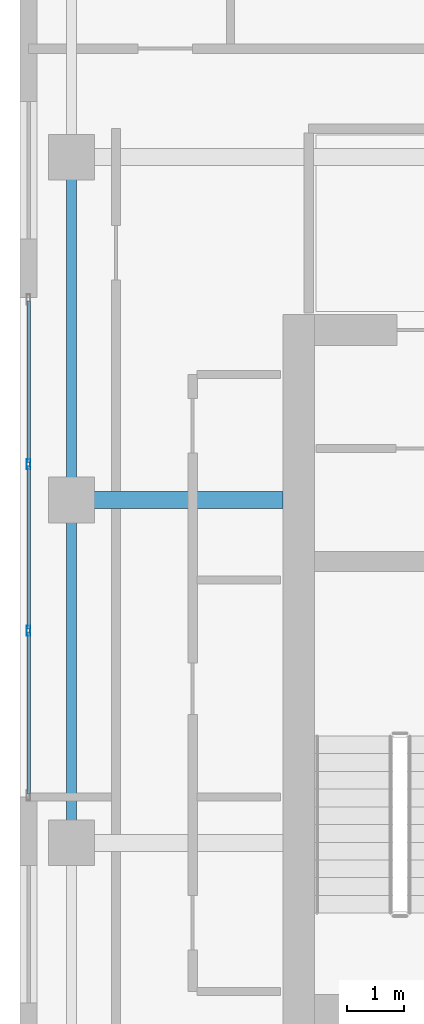
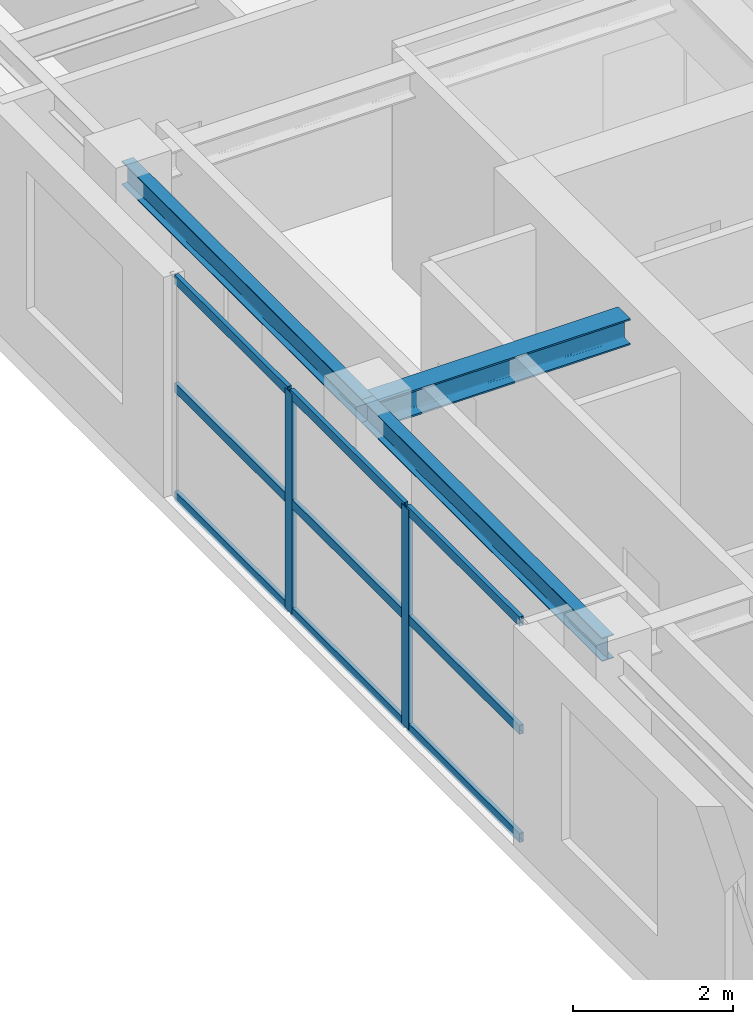
# One storey, part 6 of 23: 11 members, 3 beams, 1 element without a shape of its own.
"""IFC4 building model written with IfcOpenShell, lengths in metres."""

from ifc_helpers import new_model, si_unit, direction, frame, origin, origin_2d, place, context, subcontext, project, spatial, hollow_rectangle, i_section, extrude, source, transform, mapped, material, layer, layer_set, material_profile, profile_set, type_object, element, aggregate, save


model = new_model("IFC4")

# Units and contexts
model_context = context("Model", 3, precision=1e-05, world=origin(), true_north=direction((0.0, 1.0)))
body_context = subcontext(model_context, "Body", "Model", "MODEL_VIEW")
ifc_project = project(units=[si_unit("LENGTHUNIT", "METRE"), si_unit("AREAUNIT", "SQUARE_METRE"), si_unit("VOLUMEUNIT", "CUBIC_METRE"), si_unit("PLANEANGLEUNIT", "RADIAN"), si_unit("MASSUNIT", "GRAM", prefix="KILO")], contexts=[model_context])

# Site, building, storey
site_placement = place(None, origin())
site = spatial("IfcSite", under=ifc_project, at=site_placement, CompositionType="ELEMENT")
building_placement = place(site_placement, origin())
building = spatial("IfcBuilding", under=site, at=building_placement, Name="Khoralis Quay Care Tower", CompositionType="ELEMENT")
storey_placement = place(building_placement, frame((0.0, 0.0, 252.89990234375)))
storey = spatial("IfcBuildingStorey", under=building, at=storey_placement, Name="L66", CompositionType="ELEMENT", Elevation=252.89990234375)

# Beams
ifc_material_1 = material(Name="Steel S355", Category="steel")
ifc_material_profile_1 = material_profile(ifc_material_1, i_section(OverallWidth=0.169921875, OverallDepth=0.360107421875, WebThickness=0.008056640625, FlangeThickness=0.0126953125, FilletRadius=0.01806640625, at=origin_2d()), Name="Steel S355")
ifc_profile_set_1 = profile_set([ifc_material_profile_1], Name="Steel S355")
beam_type_1 = type_object("IfcBeamType", Name="BM-IPE360", PredefinedType="SPANDREL", material=ifc_profile_set_1)
shared_shape_1 = source(origin(), body_context, "Body", "SweptSolid", [
    extrude(i_section(OverallWidth=0.169921875, OverallDepth=0.360107421875, WebThickness=0.008056640625, FlangeThickness=0.0126953125, FilletRadius=0.01806640625, at=origin_2d()), origin(), (0.0, 0.0, 1.0), 6.0),
])
for number, where, z_axis, x_axis, name in (
    (1, (3.89990234375, 18.0, 3.18017578125), (0.0, 1.0, 0.0), (-1.0, 0.0, 0.0), "BM-TSP-L66-06"),
    (2, (3.89990234375, 24.0, 3.18017578125), (0.0, 1.0, 0.0), (-1.0, 0.0, 0.0), "BM-TSP-L66-07"),
):
    element("IfcBeam", number, at=place(storey_placement, frame(where, z_axis=z_axis, x_axis=x_axis)), inside=storey, type_object=beam_type_1, Name=name, PredefinedType="SPANDREL", context=body_context, shape_type="MappedRepresentation", body=[
        mapped(shared_shape_1, transform((0.0, 0.0, 0.0), scale=1.0)),
    ])
ifc_material_profile_2 = material_profile(ifc_material_1, i_section(OverallWidth=0.300048828125, OverallDepth=0.39990234375, WebThickness=0.013427734375, FlangeThickness=0.02392578125, FilletRadius=0.027099609375, at=origin_2d()), Name="Steel S355")
ifc_profile_set_2 = profile_set([ifc_material_profile_2], Name="Steel S355")
beam_type_2 = type_object("IfcBeamType", Name="BM-HEB400", PredefinedType="BEAM", material=ifc_profile_set_2)
shared_shape_2 = source(origin(), body_context, "Body", "SweptSolid", [
    extrude(i_section(OverallWidth=0.300048828125, OverallDepth=0.39990234375, WebThickness=0.013427734375, FlangeThickness=0.02392578125, FilletRadius=0.027099609375, at=origin_2d()), origin(), (0.0, 0.0, 1.0), 3.7021484375),
])
beam_placement = place(storey_placement, frame((3.89990234375, 24.0, 3.16015625), z_axis=(1.0, 0.0, 0.0), x_axis=(0.0, 1.0, 0.0)))
element("IfcBeam", 3, at=beam_placement, inside=storey, type_object=beam_type_2, Name="BM-TGXW-L66-240", PredefinedType="BEAM", context=body_context, shape_type="MappedRepresentation", body=[
    mapped(shared_shape_2, transform((0.0, 0.0, 0.0), scale=1.0)),
])

# Curtain wall, members
ifc_material_2 = material(Name="Pale anodised aluminium", Category="aluminium")
ifc_layer = layer(ifc_material_2, 0.159912109375)
ifc_layer_set = layer_set([ifc_layer], Name="Pale anodised aluminium")
curtain_wall_type = type_object("IfcCurtainWallType", Name="CW-SYS-Z3", PredefinedType="NOTDEFINED", material=ifc_layer_set)
curtain_wall_placement = place(storey_placement, origin())
curtain_wall = element("IfcCurtainWall", 4, at=curtain_wall_placement, inside=storey, type_object=curtain_wall_type, Name="L66 Unitised Curtain Wall CW-L66-P1-E7", PredefinedType="NOTDEFINED")
ifc_material_profile_3 = material_profile(ifc_material_2, hollow_rectangle(XDim=0.06494140625, YDim=0.179931640625, WallThickness=0.00390625, at=origin_2d()), Name="Pale anodised aluminium")
ifc_profile_set_3 = profile_set([ifc_material_profile_3], Name="Pale anodised aluminium")
member_type_1 = type_object("IfcMemberType", Name="CW-MUL-180", PredefinedType="MULLION", material=ifc_profile_set_3)
shared_shape_3 = source(origin(), body_context, "Body", "SweptSolid", [
    extrude(hollow_rectangle(XDim=0.06494140625, YDim=0.179931640625, WallThickness=0.00390625, at=origin_2d()), origin(), (0.0, 0.0, 1.0), 3.360107421875),
])
member_1_placement = place(storey_placement, frame((3.14990234375, 24.626708984375, 0.0), z_axis=(0.0, 0.0, 1.0), x_axis=(1.0, 0.0, 0.0)))
member_1 = element("IfcMember", 5, at=member_1_placement, type_object=member_type_1, Name="CW3 mullion 2", PredefinedType="MULLION", context=body_context, shape_type="MappedRepresentation", body=[
    mapped(shared_shape_3, transform((0.0, 0.0, 0.0), scale=1.0)),
])
member_2_placement = place(storey_placement, frame((3.14990234375, 21.71337890625, 0.0), z_axis=(0.0, 0.0, 1.0), x_axis=(1.0, 0.0, 0.0)))
member_2 = element("IfcMember", 6, at=member_2_placement, type_object=member_type_1, Name="CW3 mullion 3", PredefinedType="MULLION", context=body_context, shape_type="MappedRepresentation", body=[
    mapped(shared_shape_3, transform((0.0, 0.0, 0.0), scale=1.0)),
])
ifc_material_profile_4 = material_profile(ifc_material_2, hollow_rectangle(XDim=0.06005859375, YDim=0.139892578125, WallThickness=0.00390625, at=origin_2d()), Name="Pale anodised aluminium")
ifc_profile_set_4 = profile_set([ifc_material_profile_4], Name="Pale anodised aluminium")
member_type_2 = type_object("IfcMemberType", Name="CW-TRN-140", PredefinedType="USERDEFINED", material=ifc_profile_set_4)
shared_shape_4 = source(origin(), body_context, "Body", "SweptSolid", [
    extrude(hollow_rectangle(XDim=0.06005859375, YDim=0.139892578125, WallThickness=0.00390625, at=origin_2d()), origin(), (0.0, 0.0, 1.0), 2.8232421875),
])
member_3_placement = place(storey_placement, frame((3.14990234375, 27.47998046875, 0.030029296875), z_axis=(0.0, -1.0, 0.0), x_axis=(1.0, 0.0, 0.0)))
member_3 = element("IfcMember", 7, at=member_3_placement, type_object=member_type_2, Name="CW3 transom 1.1", ObjectType="TRANSOM", PredefinedType="USERDEFINED", context=body_context, shape_type="MappedRepresentation", body=[
    mapped(shared_shape_4, transform((0.0, 0.0, 0.0), scale=1.0)),
])
member_4_placement = place(storey_placement, frame((3.14990234375, 27.47998046875, 1.68017578125), z_axis=(0.0, -1.0, 0.0), x_axis=(1.0, 0.0, 0.0)))
member_4 = element("IfcMember", 8, at=member_4_placement, type_object=member_type_2, Name="CW3 transom 1.2", ObjectType="TRANSOM", PredefinedType="USERDEFINED", context=body_context, shape_type="MappedRepresentation", body=[
    mapped(shared_shape_4, transform((0.0, 0.0, 0.0), scale=1.0)),
])
member_5_placement = place(storey_placement, frame((3.14990234375, 27.47998046875, 3.330078125), z_axis=(0.0, -1.0, 0.0), x_axis=(1.0, 0.0, 0.0)))
member_5 = element("IfcMember", 9, at=member_5_placement, type_object=member_type_2, Name="CW3 transom 1.3", ObjectType="TRANSOM", PredefinedType="USERDEFINED", context=body_context, shape_type="MappedRepresentation", body=[
    mapped(shared_shape_4, transform((0.0, 0.0, 0.0), scale=1.0)),
])
member_6_placement = place(storey_placement, frame((3.14990234375, 21.683349609375, 0.030029296875), z_axis=(0.0, -1.0, 0.0), x_axis=(1.0, 0.0, 0.0)))
member_6 = element("IfcMember", 10, at=member_6_placement, type_object=member_type_2, Name="CW3 transom 3.1", ObjectType="TRANSOM", PredefinedType="USERDEFINED", context=body_context, shape_type="MappedRepresentation", body=[
    mapped(shared_shape_4, transform((0.0, 0.0, 0.0), scale=1.0)),
])
member_7_placement = place(storey_placement, frame((3.14990234375, 21.683349609375, 1.68017578125), z_axis=(0.0, -1.0, 0.0), x_axis=(1.0, 0.0, 0.0)))
member_7 = element("IfcMember", 11, at=member_7_placement, type_object=member_type_2, Name="CW3 transom 3.2", ObjectType="TRANSOM", PredefinedType="USERDEFINED", context=body_context, shape_type="MappedRepresentation", body=[
    mapped(shared_shape_4, transform((0.0, 0.0, 0.0), scale=1.0)),
])
member_8_placement = place(storey_placement, frame((3.14990234375, 21.683349609375, 3.330078125), z_axis=(0.0, -1.0, 0.0), x_axis=(1.0, 0.0, 0.0)))
member_8 = element("IfcMember", 12, at=member_8_placement, type_object=member_type_2, Name="CW3 transom 3.3", ObjectType="TRANSOM", PredefinedType="USERDEFINED", context=body_context, shape_type="MappedRepresentation", body=[
    mapped(shared_shape_4, transform((0.0, 0.0, 0.0), scale=1.0)),
])
shared_shape_5 = source(origin(), body_context, "Body", "SweptSolid", [
    extrude(hollow_rectangle(XDim=0.06005859375, YDim=0.139892578125, WallThickness=0.00390625, at=origin_2d()), origin(), (0.0, 0.0, 1.0), 2.853271484375),
])
member_9_placement = place(storey_placement, frame((3.14990234375, 24.5966796875, 0.030029296875), z_axis=(0.0, -1.0, 0.0), x_axis=(1.0, 0.0, 0.0)))
member_9 = element("IfcMember", 13, at=member_9_placement, type_object=member_type_2, Name="CW3 transom 2.1", ObjectType="TRANSOM", PredefinedType="USERDEFINED", context=body_context, shape_type="MappedRepresentation", body=[
    mapped(shared_shape_5, transform((0.0, 0.0, 0.0), scale=1.0)),
])
member_10_placement = place(storey_placement, frame((3.14990234375, 24.5966796875, 1.68017578125), z_axis=(0.0, -1.0, 0.0), x_axis=(1.0, 0.0, 0.0)))
member_10 = element("IfcMember", 14, at=member_10_placement, type_object=member_type_2, Name="CW3 transom 2.2", ObjectType="TRANSOM", PredefinedType="USERDEFINED", context=body_context, shape_type="MappedRepresentation", body=[
    mapped(shared_shape_5, transform((0.0, 0.0, 0.0), scale=1.0)),
])
member_11_placement = place(storey_placement, frame((3.14990234375, 24.5966796875, 3.330078125), z_axis=(0.0, -1.0, 0.0), x_axis=(1.0, 0.0, 0.0)))
member_11 = element("IfcMember", 15, at=member_11_placement, type_object=member_type_2, Name="CW3 transom 2.3", ObjectType="TRANSOM", PredefinedType="USERDEFINED", context=body_context, shape_type="MappedRepresentation", body=[
    mapped(shared_shape_5, transform((0.0, 0.0, 0.0), scale=1.0)),
])
aggregate(curtain_wall, [member_1, member_2, member_3, member_4, member_5, member_9, member_10, member_11, member_6, member_7, member_8])

save(model, "model.ifc")
